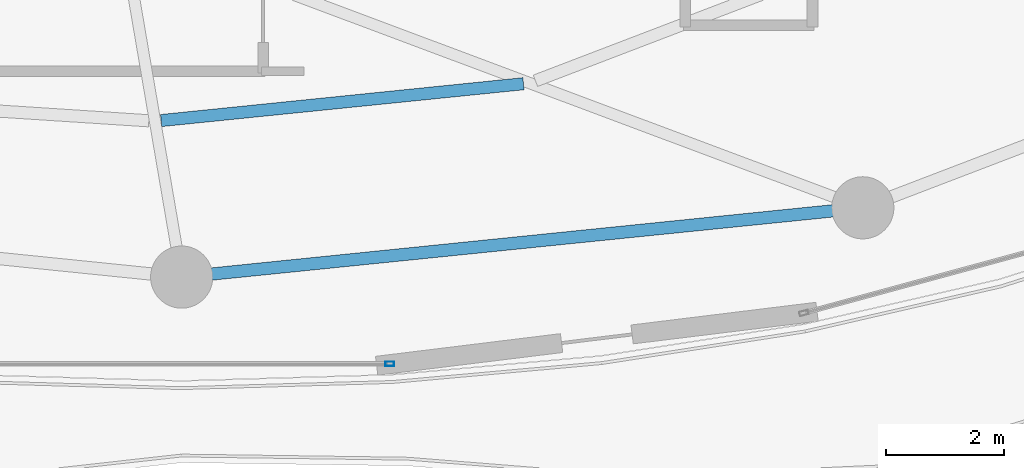
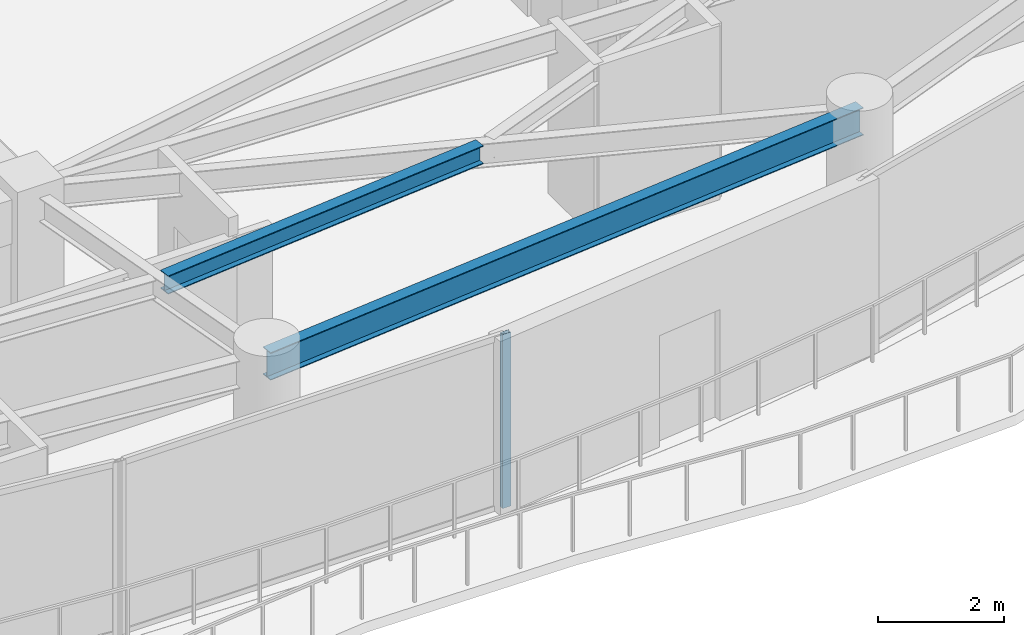
# One storey, part 9 of 29: 2 beams, 1 member, 1 element without a shape of its own.
"""IFC4 building model written with IfcOpenShell, lengths in metres."""

from ifc_helpers import new_model, si_unit, direction, frame, origin, origin_2d, place, context, subcontext, project, spatial, hollow_rectangle, i_section, extrude, material, layer, layer_set, material_profile, profile_set, type_object, element, aggregate, save


model = new_model("IFC4")

# Units and contexts
model_context = context("Model", 3, precision=1e-05, world=origin(), true_north=direction((0.0, 1.0)))
body_context = subcontext(model_context, "Body", "Model", "MODEL_VIEW")
ifc_project = project(units=[si_unit("LENGTHUNIT", "METRE"), si_unit("AREAUNIT", "SQUARE_METRE"), si_unit("VOLUMEUNIT", "CUBIC_METRE"), si_unit("PLANEANGLEUNIT", "RADIAN"), si_unit("MASSUNIT", "GRAM", prefix="KILO")], contexts=[model_context])

# Site, building, storey
site_placement = place(None, origin())
site = spatial("IfcSite", under=ifc_project, at=site_placement, CompositionType="ELEMENT")
building_placement = place(site_placement, origin())
building = spatial("IfcBuilding", under=site, at=building_placement, Name="Kazevale Care Tower and Concert Hall", CompositionType="ELEMENT")
storey_placement = place(building_placement, frame((0.0, 0.0, 195.60009765625)))
storey = spatial("IfcBuildingStorey", under=building, at=storey_placement, Name="L51", CompositionType="ELEMENT", Elevation=195.60009765625)

# Curtain wall, member
ifc_material_1 = material(Name="Aluminium 6063-T6 and Low-E Glass", Category="aluminium")
ifc_layer = layer(ifc_material_1, 0.179931640625)
ifc_layer_set = layer_set([ifc_layer], Name="Aluminium 6063-T6 and Low-E Glass")
curtain_wall_type = type_object("IfcCurtainWallType", Name="Sheltered Concave Balcony Curtain Wall CW-5", PredefinedType="NOTDEFINED", material=ifc_layer_set)
curtain_wall_placement = place(storey_placement, origin())
curtain_wall = element("IfcCurtainWall", 1, at=curtain_wall_placement, inside=storey, type_object=curtain_wall_type, Name="cw:L51:f06", PredefinedType="NOTDEFINED")
ifc_material_2 = material(Name="Aluminium 6063-T6", Category="aluminium")
ifc_material_profile_1 = material_profile(ifc_material_2, hollow_rectangle(XDim=0.074951171875, YDim=0.14990234375, WallThickness=0.00390625, at=origin_2d()), Name="ALU75x150x4")
ifc_profile_set_1 = profile_set([ifc_material_profile_1], Name="Aluminium 6063-T6")
member_type = type_object("IfcMemberType", Name="CW-5 Mullion ALU75x150x4", PredefinedType="MULLION", material=ifc_profile_set_1)
member_placement = place(storey_placement, frame((48.512451171875, 16.284912109375, 0.0), z_axis=(0.0, 0.0, 1.0), x_axis=(0.0, -1.0, 0.0)))
member = element("IfcMember", 2, at=member_placement, type_object=member_type, Name="CW-5 mullion 1", PredefinedType="MULLION", context=body_context, shape_type="SweptSolid", body=[
    extrude(hollow_rectangle(XDim=0.074951171875, YDim=0.14990234375, WallThickness=0.00390625, at=origin_2d()), origin(), (0.0, 0.0, 1.0), 3.35986328125),
])
aggregate(curtain_wall, [member])

# Beams
ifc_material_3 = material(Name="Steel ASTM A572 Gr 50", Category="steel")
ifc_material_profile_2 = material_profile(ifc_material_3, i_section(OverallWidth=0.205078125, OverallDepth=0.35400390625, WebThickness=0.009521484375, FlangeThickness=0.016845703125, at=origin_2d()), Name="W360x79")
ifc_profile_set_2 = profile_set([ifc_material_profile_2], Name="Steel ASTM A572 Gr 50")
beam_type_1 = type_object("IfcBeamType", Name="Secondary Floor Joist W360x79", PredefinedType="JOIST", material=ifc_profile_set_2)
beam_1_placement = place(storey_placement, frame((44.654052734375, 20.39306640625, 3.182861328125), z_axis=(0.994872697807, 0.10113513316, 0.0), x_axis=(-0.10113513316, 0.994872697807, 0.0)))
element("IfcBeam", 3, at=beam_1_placement, inside=storey, type_object=beam_type_1, Name="beam:L51:joist:13", PredefinedType="JOIST", context=body_context, shape_type="SweptSolid", body=[
    extrude(i_section(OverallWidth=0.205078125, OverallDepth=0.35400390625, WebThickness=0.009521484375, FlangeThickness=0.016845703125, at=origin_2d()), origin(), (0.0, 0.0, 1.0), 6.1484375),
])
ifc_material_profile_3 = material_profile(ifc_material_3, i_section(OverallWidth=0.208984375, OverallDepth=0.532958984375, WebThickness=0.01025390625, FlangeThickness=0.015625, at=origin_2d()), Name="W530x92")
ifc_profile_set_3 = profile_set([ifc_material_profile_3], Name="Steel ASTM A572 Gr 50")
beam_type_2 = type_object("IfcBeamType", Name="Upper Ring Beam W530x92", PredefinedType="BEAM", material=ifc_profile_set_3)
beam_2_placement = place(storey_placement, frame((45.0, 17.75, 3.093505859375), z_axis=(0.994865089307, 0.101209950492, 0.0), x_axis=(-0.101209950492, 0.994865089307, 0.0)))
element("IfcBeam", 4, at=beam_2_placement, inside=storey, type_object=beam_type_2, Name="beam:L51:ring:13", PredefinedType="BEAM", context=body_context, shape_type="SweptSolid", body=[
    extrude(i_section(OverallWidth=0.208984375, OverallDepth=0.532958984375, WebThickness=0.01025390625, FlangeThickness=0.015625, at=origin_2d()), origin(), (0.0, 0.0, 1.0), 11.559326171875),
])

save(model, "model.ifc")
